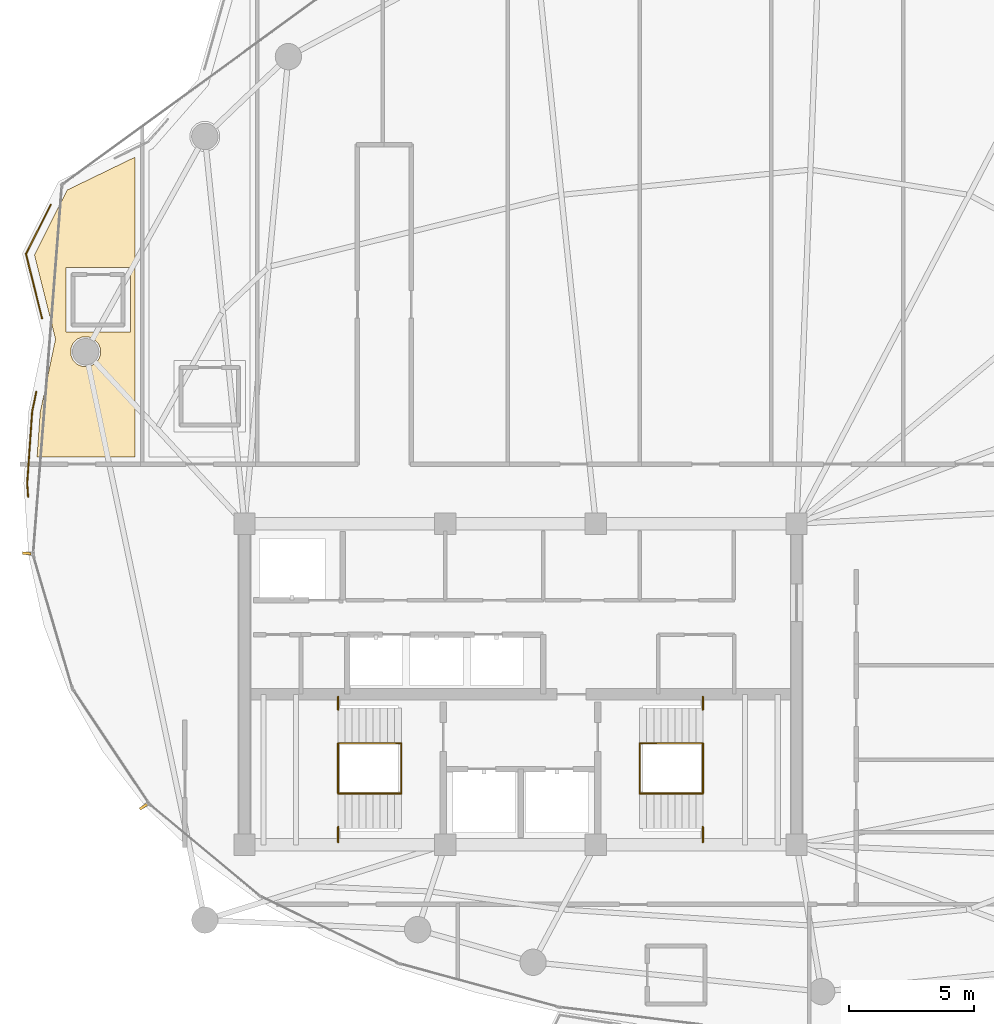
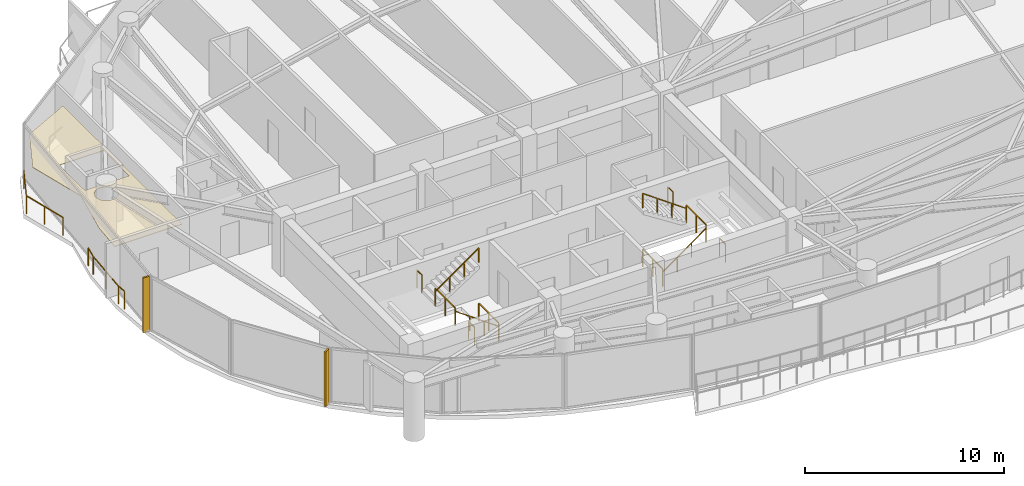
# One storey, part 29 of 31: 14 railings, 2 shading devices, 1 covering.
"""IFC4 building model written with IfcOpenShell, lengths in metres."""

from ifc_helpers import new_model, si_unit, direction, frame, origin, origin_2d, place, context, subcontext, project, spatial, polyline, rectangle, outline, extrude, material, layer, layer_set, type_object, element, save


model = new_model("IFC4")

# Units and contexts
model_context = context("Model", 3, precision=1e-05, world=origin(), true_north=direction((0.0, 1.0)))
body_context = subcontext(model_context, "Body", "Model", "MODEL_VIEW")
ifc_project = project(units=[si_unit("LENGTHUNIT", "METRE"), si_unit("AREAUNIT", "SQUARE_METRE"), si_unit("VOLUMEUNIT", "CUBIC_METRE"), si_unit("PLANEANGLEUNIT", "RADIAN"), si_unit("MASSUNIT", "GRAM", prefix="KILO")], contexts=[model_context])

# Site, building, storey
site_placement = place(None, origin())
site = spatial("IfcSite", under=ifc_project, at=site_placement, CompositionType="ELEMENT")
building_placement = place(site_placement, origin())
building = spatial("IfcBuilding", under=site, at=building_placement, Name="Kazevale Care Tower and Concert Hall", CompositionType="ELEMENT")
storey_placement = place(building_placement, frame((0.0, 0.0, 235.199951171875)))
storey = spatial("IfcBuildingStorey", under=building, at=storey_placement, Name="L62", CompositionType="ELEMENT", Elevation=235.199951171875)

# Covering
ifc_material_1 = material(Name="Acoustic Plaster and Hinoki Wood", Category="wood")
ifc_layer = layer(ifc_material_1, 0.0400390625)
ifc_layer_set = layer_set([ifc_layer], Name="Acoustic Plaster and Hinoki Wood")
covering_type = type_object("IfcCoveringType", Name="Acoustic Perforated Wood-Gypsum Ceiling", PredefinedType="CEILING", material=ifc_layer_set)
covering_placement = place(storey_placement, frame((0.0, 0.0, 2.7099609375)))
element("IfcCovering", 1, at=covering_placement, inside=storey, type_object=covering_type, Name="clg:L62:1", PredefinedType="CEILING", context=body_context, shape_type="SweptSolid", body=[
    extrude(outline(polyline([(14.93310546875, 49.694091796875), (17.639892578125, 51.0048828125), (17.639892578125, 39.054931640625), (13.73388671875, 39.054931640625), (13.85693359375, 40.824951171875), (14.468994140625, 43.75), (13.632080078125, 47.111083984375), (14.93310546875, 49.694091796875)]), holes=[polyline([(14.887939453125, 46.60498046875), (14.887939453125, 44.044921875), (17.447998046875, 44.044921875), (17.447998046875, 46.60498046875), (14.887939453125, 46.60498046875)]), polyline([(16.262939453125, 43.367919921875), (16.173095703125, 43.5859375), (16.006103515625, 43.7529296875), (15.7880859375, 43.843017578125), (15.552001953125, 43.843017578125), (15.333984375, 43.7529296875), (15.1669921875, 43.5859375), (15.076904296875, 43.367919921875), (15.076904296875, 43.132080078125), (15.1669921875, 42.9140625), (15.333984375, 42.7470703125), (15.552001953125, 42.656982421875), (15.7880859375, 42.656982421875), (16.006103515625, 42.7470703125), (16.173095703125, 42.9140625), (16.262939453125, 43.132080078125), (16.262939453125, 43.367919921875)])]), origin(), (0.0, 0.0, 1.0), 0.0400390625),
])

# Railings
ifc_material_2 = material(Name="Anodised Bronze Aluminium and Laminated Glass", Category="aluminium")
railing_type_1 = type_object("IfcRailingType", Name="Balcony and Terrace Balustrade 1120", PredefinedType="BALUSTRADE", material=ifc_material_2)
railing_1_placement = place(storey_placement, frame((13.3779296875, 37.467041015625, 0.0)))
element("IfcRailing", 2, at=railing_1_placement, inside=storey, type_object=railing_type_1, Name="rail:L62:perim:1", PredefinedType="BALUSTRADE", context=body_context, shape_type="SweptSolid", body=[
    extrude(rectangle(XDim=0.048095703125, YDim=0.048095703125, at=origin_2d()), frame((0.0, 0.0, 1.09619140625), z_axis=(-0.070824900757, 0.997488763562, 0.0), x_axis=(-0.997488763562, -0.070824900757, 0.0)), (0.0, 0.0, 1.0), 0.5341796875),
    extrude(rectangle(XDim=0.048095703125, YDim=0.048095703125, at=origin_2d()), frame((-0.037841796875, 0.532958984375, 1.09619140625), z_axis=(0.069189590327, 0.997603528758, 0.0), x_axis=(-0.997603528758, 0.069189590327, 0.0)), (0.0, 0.0, 1.0), 2.875732421875),
    extrude(rectangle(XDim=0.048095703125, YDim=0.048095703125, at=origin_2d()), frame((0.1611328125, 3.40185546875, 1.09619140625), z_axis=(0.204489697566, 0.978868716218, 0.0), x_axis=(-0.978868716218, 0.204489697566, 0.0)), (0.0, 0.0, 1.0), 0.801025390625),
    extrude(rectangle(XDim=0.0419921875, YDim=0.0419921875, at=origin_2d()), origin(), (0.0, 0.0, 1.0), 1.072021484375),
    extrude(rectangle(XDim=0.0419921875, YDim=0.0419921875, at=origin_2d()), frame((-0.037841796875, 0.532958984375, 0.0)), (0.0, 0.0, 1.0), 1.072021484375),
    extrude(rectangle(XDim=0.0419921875, YDim=0.0419921875, at=origin_2d()), frame((0.0615234375, 1.96728515625, 0.0)), (0.0, 0.0, 1.0), 1.072021484375),
    extrude(rectangle(XDim=0.0419921875, YDim=0.0419921875, at=origin_2d()), frame((0.1611328125, 3.40185546875, 0.0)), (0.0, 0.0, 1.0), 1.072021484375),
    extrude(rectangle(XDim=0.0419921875, YDim=0.0419921875, at=origin_2d()), frame((0.324951171875, 4.18603515625, 0.0)), (0.0, 0.0, 1.0), 1.072021484375),
])
railing_2_placement = place(storey_placement, frame((13.930908203125, 44.5849609375, 0.0)))
element("IfcRailing", 3, at=railing_2_placement, inside=storey, type_object=railing_type_1, Name="rail:L62:perim:2", PredefinedType="BALUSTRADE", context=body_context, shape_type="SweptSolid", body=[
    extrude(rectangle(XDim=0.048095703125, YDim=0.048095703125, at=origin_2d()), frame((0.0, 0.0, 1.09619140625), z_axis=(-0.241796398664, 0.970327007556, 0.0), x_axis=(-0.970327007556, -0.241796398664, 0.0)), (0.0, 0.0, 1.0), 2.642333984375),
    extrude(rectangle(XDim=0.048095703125, YDim=0.048095703125, at=origin_2d()), frame((-0.638916015625, 2.56396484375, 1.09619140625), z_axis=(0.450269666924, 0.892892617871, 0.0), x_axis=(-0.892892617871, 0.450269666924, 0.0)), (0.0, 0.0, 1.0), 2.202880859375),
    extrude(rectangle(XDim=0.0419921875, YDim=0.0419921875, at=origin_2d()), origin(), (0.0, 0.0, 1.0), 1.072021484375),
    extrude(rectangle(XDim=0.0419921875, YDim=0.0419921875, at=origin_2d()), frame((-0.3193359375, 1.281982421875, 0.0)), (0.0, 0.0, 1.0), 1.072021484375),
    extrude(rectangle(XDim=0.0419921875, YDim=0.0419921875, at=origin_2d()), frame((-0.638916015625, 2.56396484375, 0.0)), (0.0, 0.0, 1.0), 1.072021484375),
    extrude(rectangle(XDim=0.0419921875, YDim=0.0419921875, at=origin_2d()), frame((0.35302734375, 4.531005859375, 0.0)), (0.0, 0.0, 1.0), 1.072021484375),
])
ifc_material_3 = material(Name="Stainless Steel 316", Category="steel")
railing_type_2 = type_object("IfcRailingType", Name="Stair Pitch Handrail 920", PredefinedType="HANDRAIL", material=ifc_material_3)
railing_3_placement = place(storey_placement, frame((28.25, 25.64990234375, 0.0)))
element("IfcRailing", 4, at=railing_3_placement, inside=storey, type_object=railing_type_2, Name="stair:L62:ST1:hr1", PredefinedType="HANDRAIL", context=body_context, shape_type="SweptSolid", body=[
    extrude(rectangle(XDim=0.048095703125, YDim=0.048095703125, at=origin_2d()), frame((0.0, 0.0, 0.89599609375), z_axis=(-0.813728144527, 0.0, 0.581245650998), x_axis=(0.0, -1.0, 0.0)), (0.0, 0.0, 1.0), 3.096923828125),
    extrude(rectangle(XDim=0.0419921875, YDim=0.0419921875, at=origin_2d()), origin(), (0.0, 0.0, 1.0), 0.871826171875),
    extrude(rectangle(XDim=0.0419921875, YDim=0.0419921875, at=origin_2d()), frame((-0.840087890625, 0.0, 0.60009765625)), (0.0, 0.0, 1.0), 0.871826171875),
    extrude(rectangle(XDim=0.0419921875, YDim=0.0419921875, at=origin_2d()), frame((-1.679931640625, 0.0, 1.199951171875)), (0.0, 0.0, 1.0), 0.871826171875),
    extrude(rectangle(XDim=0.0419921875, YDim=0.0419921875, at=origin_2d()), frame((-2.52001953125, 0.0, 1.800048828125)), (0.0, 0.0, 1.0), 0.871826171875),
])
for number, where, name in (
    (5, (25.72998046875, 27.64990234375, 1.800048828125), "stair:L62:ST1:hr2"),
    (6, (37.75, 25.64990234375, 0.0), "stair:L62:ST2:hr1"),
):
    element("IfcRailing", number, at=place(storey_placement, frame(where)), inside=storey, type_object=railing_type_2, Name=name, PredefinedType="HANDRAIL", context=body_context, shape_type="SweptSolid", body=[
        extrude(rectangle(XDim=0.048095703125, YDim=0.048095703125, at=origin_2d()), frame((0.0, 0.0, 0.89599609375), z_axis=(0.813728144527, 0.0, 0.581245650998), x_axis=(0.0, 1.0, 0.0)), (0.0, 0.0, 1.0), 3.096923828125),
        extrude(rectangle(XDim=0.0419921875, YDim=0.0419921875, at=origin_2d()), origin(), (0.0, 0.0, 1.0), 0.871826171875),
        extrude(rectangle(XDim=0.0419921875, YDim=0.0419921875, at=origin_2d()), frame((0.840087890625, 0.0, 0.60009765625)), (0.0, 0.0, 1.0), 0.871826171875),
        extrude(rectangle(XDim=0.0419921875, YDim=0.0419921875, at=origin_2d()), frame((1.679931640625, 0.0, 1.199951171875)), (0.0, 0.0, 1.0), 0.871826171875),
        extrude(rectangle(XDim=0.0419921875, YDim=0.0419921875, at=origin_2d()), frame((2.52001953125, 0.0, 1.800048828125)), (0.0, 0.0, 1.0), 0.871826171875),
    ])
railing_4_placement = place(storey_placement, frame((40.27001953125, 27.64990234375, 1.800048828125)))
element("IfcRailing", 7, at=railing_4_placement, inside=storey, type_object=railing_type_2, Name="stair:L62:ST2:hr2", PredefinedType="HANDRAIL", context=body_context, shape_type="SweptSolid", body=[
    extrude(rectangle(XDim=0.048095703125, YDim=0.048095703125, at=origin_2d()), frame((0.0, 0.0, 0.89599609375), z_axis=(-0.813728144527, 0.0, 0.581245650998), x_axis=(0.0, -1.0, 0.0)), (0.0, 0.0, 1.0), 3.096923828125),
    extrude(rectangle(XDim=0.0419921875, YDim=0.0419921875, at=origin_2d()), origin(), (0.0, 0.0, 1.0), 0.871826171875),
    extrude(rectangle(XDim=0.0419921875, YDim=0.0419921875, at=origin_2d()), frame((-0.840087890625, 0.0, 0.60009765625)), (0.0, 0.0, 1.0), 0.871826171875),
    extrude(rectangle(XDim=0.0419921875, YDim=0.0419921875, at=origin_2d()), frame((-1.679931640625, 0.0, 1.199951171875)), (0.0, 0.0, 1.0), 0.871826171875),
    extrude(rectangle(XDim=0.0419921875, YDim=0.0419921875, at=origin_2d()), frame((-2.52001953125, 0.0, 1.800048828125)), (0.0, 0.0, 1.0), 0.871826171875),
])
railing_type_3 = type_object("IfcRailingType", Name="Stair Well Guard Balustrade 1120", PredefinedType="BALUSTRADE", material=ifc_material_3)
railing_5_placement = place(storey_placement, frame((25.72998046875, 23.699951171875, 1.800048828125)))
element("IfcRailing", 8, at=railing_5_placement, inside=storey, type_object=railing_type_3, Name="stair:L62:ST1:grd_side1", PredefinedType="BALUSTRADE", context=body_context, shape_type="SweptSolid", body=[
    extrude(rectangle(XDim=0.048095703125, YDim=0.048095703125, at=origin_2d()), frame((0.0, 0.0, 1.09619140625), z_axis=(0.0, 1.0, 0.0), x_axis=(-1.0, 0.0, 0.0)), (0.0, 0.0, 1.0), 0.610107421875),
    extrude(rectangle(XDim=0.0419921875, YDim=0.0419921875, at=origin_2d()), origin(), (0.0, 0.0, 1.0), 1.072021484375),
    extrude(rectangle(XDim=0.0419921875, YDim=0.0419921875, at=origin_2d()), frame((0.0, 0.610107421875, 0.0)), (0.0, 0.0, 1.0), 1.072021484375),
])
railing_6_placement = place(storey_placement, frame((25.72998046875, 28.989990234375, 1.800048828125)))
element("IfcRailing", 9, at=railing_6_placement, inside=storey, type_object=railing_type_3, Name="stair:L62:ST1:grd_side2", PredefinedType="BALUSTRADE", context=body_context, shape_type="SweptSolid", body=[
    extrude(rectangle(XDim=0.048095703125, YDim=0.048095703125, at=origin_2d()), frame((0.0, 0.0, 1.09619140625), z_axis=(0.0, 1.0, 0.0), x_axis=(-1.0, 0.0, 0.0)), (0.0, 0.0, 1.0), 0.510009765625),
    extrude(rectangle(XDim=0.0419921875, YDim=0.0419921875, at=origin_2d()), origin(), (0.0, 0.0, 1.0), 1.072021484375),
    extrude(rectangle(XDim=0.0419921875, YDim=0.0419921875, at=origin_2d()), frame((0.0, 0.510009765625, 0.0)), (0.0, 0.0, 1.0), 1.072021484375),
])
for number, where, name in (
    (10, (25.72998046875, 25.64990234375, 1.800048828125), "stair:L62:ST1:grd_mid"),
    (11, (28.25, 25.64990234375, 0.0), "stair:L62:ST1:grd_flr"),
):
    element("IfcRailing", number, at=place(storey_placement, frame(where)), inside=storey, type_object=railing_type_3, Name=name, PredefinedType="BALUSTRADE", context=body_context, shape_type="SweptSolid", body=[
        extrude(rectangle(XDim=0.048095703125, YDim=0.048095703125, at=origin_2d()), frame((0.0, 0.0, 1.09619140625), z_axis=(0.0, 1.0, 0.0), x_axis=(-1.0, 0.0, 0.0)), (0.0, 0.0, 1.0), 2.0),
        extrude(rectangle(XDim=0.0419921875, YDim=0.0419921875, at=origin_2d()), origin(), (0.0, 0.0, 1.0), 1.072021484375),
        extrude(rectangle(XDim=0.0419921875, YDim=0.0419921875, at=origin_2d()), frame((0.0, 1.0, 0.0)), (0.0, 0.0, 1.0), 1.072021484375),
        extrude(rectangle(XDim=0.0419921875, YDim=0.0419921875, at=origin_2d()), frame((0.0, 2.0, 0.0)), (0.0, 0.0, 1.0), 1.072021484375),
    ])
railing_7_placement = place(storey_placement, frame((40.27001953125, 23.699951171875, 1.800048828125)))
element("IfcRailing", 12, at=railing_7_placement, inside=storey, type_object=railing_type_3, Name="stair:L62:ST2:grd_side1", PredefinedType="BALUSTRADE", context=body_context, shape_type="SweptSolid", body=[
    extrude(rectangle(XDim=0.048095703125, YDim=0.048095703125, at=origin_2d()), frame((0.0, 0.0, 1.09619140625), z_axis=(0.0, 1.0, 0.0), x_axis=(-1.0, 0.0, 0.0)), (0.0, 0.0, 1.0), 0.610107421875),
    extrude(rectangle(XDim=0.0419921875, YDim=0.0419921875, at=origin_2d()), origin(), (0.0, 0.0, 1.0), 1.072021484375),
    extrude(rectangle(XDim=0.0419921875, YDim=0.0419921875, at=origin_2d()), frame((0.0, 0.610107421875, 0.0)), (0.0, 0.0, 1.0), 1.072021484375),
])
railing_8_placement = place(storey_placement, frame((40.27001953125, 28.989990234375, 1.800048828125)))
element("IfcRailing", 13, at=railing_8_placement, inside=storey, type_object=railing_type_3, Name="stair:L62:ST2:grd_side2", PredefinedType="BALUSTRADE", context=body_context, shape_type="SweptSolid", body=[
    extrude(rectangle(XDim=0.048095703125, YDim=0.048095703125, at=origin_2d()), frame((0.0, 0.0, 1.09619140625), z_axis=(0.0, 1.0, 0.0), x_axis=(-1.0, 0.0, 0.0)), (0.0, 0.0, 1.0), 0.510009765625),
    extrude(rectangle(XDim=0.0419921875, YDim=0.0419921875, at=origin_2d()), origin(), (0.0, 0.0, 1.0), 1.072021484375),
    extrude(rectangle(XDim=0.0419921875, YDim=0.0419921875, at=origin_2d()), frame((0.0, 0.510009765625, 0.0)), (0.0, 0.0, 1.0), 1.072021484375),
])
for number, where, name in (
    (14, (40.27001953125, 25.64990234375, 1.800048828125), "stair:L62:ST2:grd_mid"),
    (15, (37.75, 25.64990234375, 0.0), "stair:L62:ST2:grd_flr"),
):
    element("IfcRailing", number, at=place(storey_placement, frame(where)), inside=storey, type_object=railing_type_3, Name=name, PredefinedType="BALUSTRADE", context=body_context, shape_type="SweptSolid", body=[
        extrude(rectangle(XDim=0.048095703125, YDim=0.048095703125, at=origin_2d()), frame((0.0, 0.0, 1.09619140625), z_axis=(0.0, 1.0, 0.0), x_axis=(-1.0, 0.0, 0.0)), (0.0, 0.0, 1.0), 2.0),
        extrude(rectangle(XDim=0.0419921875, YDim=0.0419921875, at=origin_2d()), origin(), (0.0, 0.0, 1.0), 1.072021484375),
        extrude(rectangle(XDim=0.0419921875, YDim=0.0419921875, at=origin_2d()), frame((0.0, 1.0, 0.0)), (0.0, 0.0, 1.0), 1.072021484375),
        extrude(rectangle(XDim=0.0419921875, YDim=0.0419921875, at=origin_2d()), frame((0.0, 2.0, 0.0)), (0.0, 0.0, 1.0), 1.072021484375),
    ])

# Shading devices
ifc_material_4 = material(Name="Anodised Bronze Aluminium", Category="aluminium")
shading_device_type = type_object("IfcShadingDeviceType", Name="Waist Anodised Bronze-Stone Fin FIN-02", PredefinedType="USERDEFINED", material=ifc_material_4)
for number, where, z_axis, x_axis, name in (
    (16, (17.972900390625, 25.121337890625, 0.0), (0.0, 0.0, 1.0), (-0.832147748683, -0.554553986878, 0.0), "cw:L62:f11:fin"),
    (17, (13.326904296875, 35.216796875, 0.0), (0.0, 0.0, 1.0), (-0.996985422604, 0.077589091471, 0.0), "cw:L62:f13:fin"),
):
    element("IfcShadingDevice", number, at=place(storey_placement, frame(where, z_axis=z_axis, x_axis=x_axis)), inside=storey, type_object=shading_device_type, Name=name, ObjectType="FIN", PredefinedType="USERDEFINED", context=body_context, shape_type="SweptSolid", body=[
        extrude(rectangle(XDim=0.340087890625, YDim=0.10009765625, at=origin_2d()), origin(), (0.0, 0.0, 1.0), 3.360107421875),
    ])

save(model, "model.ifc")
